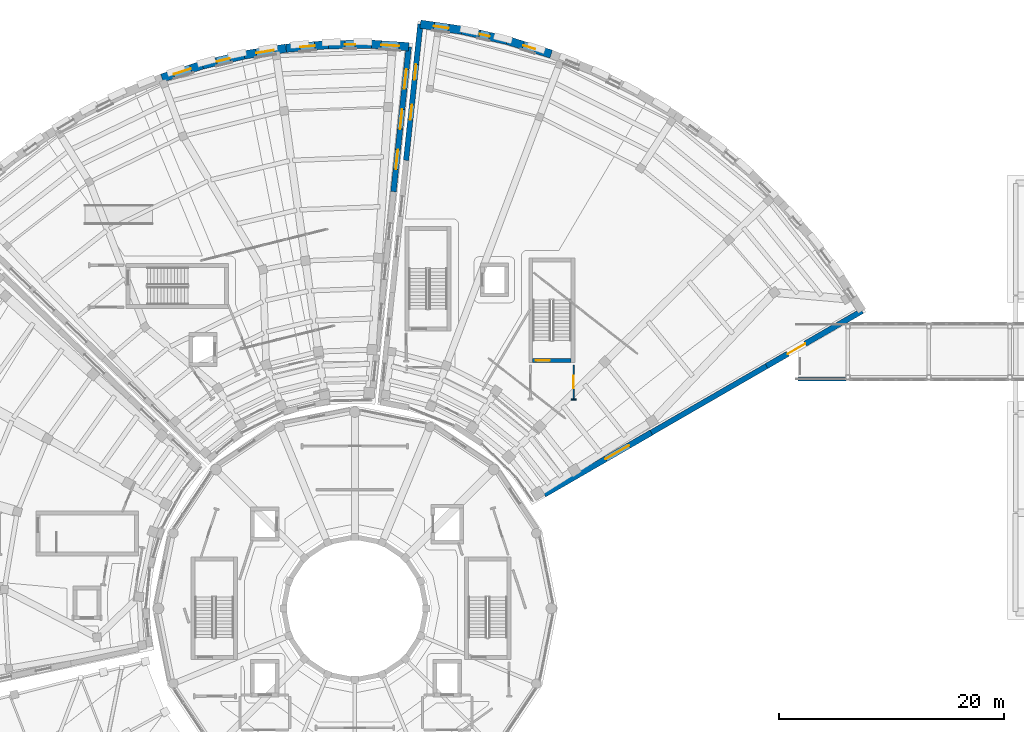
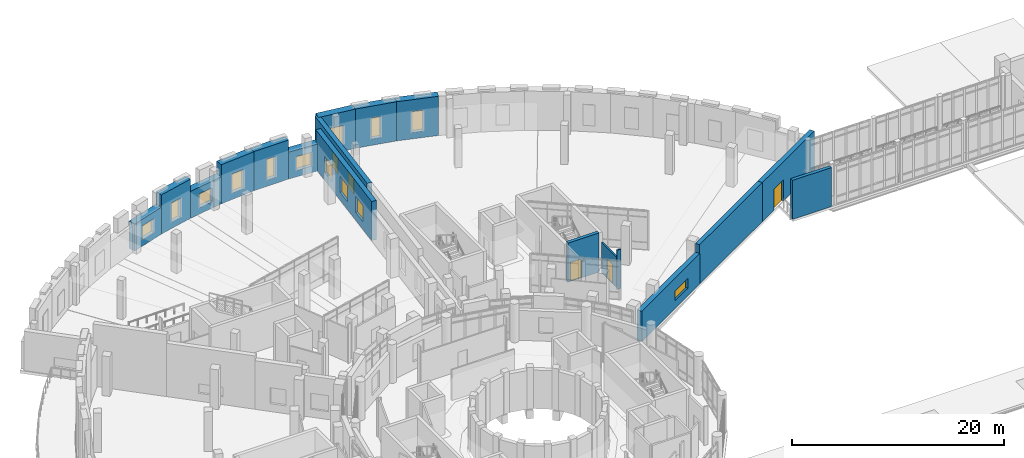
# One storey, part 57 of 75: 18 walls, 15 windows, 3 doors, 18 openings.
"""IFC4 building model written with IfcOpenShell, lengths in metres."""

from ifc_helpers import new_model, si_unit, direction, frame, frame_2d, origin, place, context, subcontext, project, spatial, rectangle, extrude, material, layer, layer_set, type_object, element, fill, save


model = new_model("IFC4")

# Units and contexts
model_context = context("Model", 3, precision=1e-05, world=origin(), true_north=direction((0.0, 1.0)))
body_context = subcontext(model_context, "Body", "Model", "MODEL_VIEW")
ifc_project = project(units=[si_unit("LENGTHUNIT", "METRE"), si_unit("AREAUNIT", "SQUARE_METRE"), si_unit("VOLUMEUNIT", "CUBIC_METRE"), si_unit("PLANEANGLEUNIT", "RADIAN"), si_unit("MASSUNIT", "GRAM", prefix="KILO")], contexts=[model_context])

# Site, building, storey
site_placement = place(None, origin())
site = spatial("IfcSite", under=ifc_project, at=site_placement, CompositionType="ELEMENT")
building_placement = place(site_placement, origin())
building = spatial("IfcBuilding", under=site, at=building_placement, Name="Soyqirgoq Riverine Aquarium", CompositionType="ELEMENT")
storey_placement = place(building_placement, frame((0.0, 0.0, 10.199951171875)))
storey = spatial("IfcBuildingStorey", under=building, at=storey_placement, Name="L03", CompositionType="ELEMENT", Elevation=10.199951171875)

# Wall
ifc_material_1 = material(Name="Insulated composite rainscreen panel", Category="steel")
ifc_layer_1 = layer(ifc_material_1, 0.360107421875)
ifc_layer_set_1 = layer_set([ifc_layer_1], Name="Insulated composite rainscreen panel")
wall_type_1 = type_object("IfcWallType", Name="BridgeSpandrelWall_360", PredefinedType="SOLIDWALL", material=ifc_layer_set_1)
wall_1_placement = place(storey_placement, frame((95.35009765625, 77.39990234375, 0.0), z_axis=(0.0, 0.0, 1.0), x_axis=(1.0, 0.0, 0.0)))
element("IfcWall", 1, at=wall_1_placement, inside=storey, type_object=wall_type_1, Name="BR-2 L03 Exterior Travertine Wall 0404", PredefinedType="SOLIDWALL", context=body_context, shape_type="SweptSolid", body=[
    extrude(rectangle(XDim=4.27001953125, YDim=0.360107421875, at=frame_2d((2.135009765625, 0.0))), origin(), (0.0, 0.0, 1.0), 4.5),
])

# Wall, opening, door
ifc_material_2 = material(Name="Concrete C40/50", Category="concrete")
ifc_layer_2 = layer(ifc_material_2, 0.35009765625)
ifc_layer_set_2 = layer_set([ifc_layer_2], Name="Concrete C40/50")
wall_type_2 = type_object("IfcWallType", Name="CoreShearWall_350_C40", PredefinedType="SHEAR", material=ifc_layer_set_2)
wall_2_placement = place(storey_placement, frame((71.800048828125, 79.02490234375, 0.0), z_axis=(0.0, 0.0, 1.0), x_axis=(1.0, 0.0, 0.0)))
wall_2 = element("IfcWall", 2, at=wall_2_placement, inside=storey, type_object=wall_type_2, Name="CORE-5B L03 Stair Core Shear Wall FRONT", PredefinedType="SHEAR", context=body_context, shape_type="SweptSolid", body=[
    extrude(rectangle(XDim=3.39990234375, YDim=0.35009765625, at=frame_2d((1.699951171875, 0.0))), origin(), (0.0, 0.0, 1.0), 4.52001953125),
])
opening_1_placement = place(wall_2_placement, frame((0.280029296875, 0.0, 0.0)))
opening_1 = element("IfcOpeningElement", 3, at=opening_1_placement, cuts=wall_2, Name="Opening FD-01", PredefinedType="OPENING", context=body_context, shape_type="SweptSolid", body=[
    extrude(rectangle(XDim=1.25, YDim=2.199951171875, at=frame_2d((0.625, 1.10009765625))), frame((0.0, 0.18505859375, 0.0), z_axis=(0.0, -1.0, 0.0), x_axis=(1.0, 0.0, 0.0)), (0.0, 0.0, 1.0), 0.3701171875),
])
ifc_material_3 = material(Name="Galvanised steel fire-resisting stair door", Category="steel")
door_type_1 = type_object("IfcDoorType", Name="StairFireDoor_1250x2200_EI90", OperationType="NOTDEFINED", PredefinedType="DOOR", material=ifc_material_3)
door_1_placement = place(opening_1_placement, origin())
door_1 = element("IfcDoor", 4, at=door_1_placement, inside=storey, type_object=door_type_1, Name="DR-ST-6-L03 ST-6 L03 Fire-Rated Stairwell Door", OperationType="SINGLE_SWING_RIGHT", OverallHeight=2.199951171875, OverallWidth=1.25, PredefinedType="DOOR", context=body_context, shape_type="SweptSolid", body=[
    extrude(rectangle(XDim=1.25, YDim=2.199951171875, at=frame_2d((0.625, 1.10009765625))), frame((0.0, 0.02490234375, 0.0), z_axis=(0.0, -1.0, 0.0), x_axis=(1.0, 0.0, 0.0)), (0.0, 0.0, 1.0), 0.050048828125),
])
fill(opening_1, door_1)

# Wall
ifc_material_4 = material(Name="Lightweight steel-stud gypsum partition", Category="steel")
ifc_layer_3 = layer(ifc_material_4, 0.1201171875)
ifc_layer_set_3 = layer_set([ifc_layer_3], Name="Lightweight steel-stud gypsum partition")
wall_type_3 = type_object("IfcWallType", Name="PartitionWall_120_Std", PredefinedType="PARTITIONING", material=ifc_layer_set_3)
wall_3_placement = place(storey_placement, frame((75.219970703125, 75.56005859375, 0.0), z_axis=(0.0, 0.0, 1.0), x_axis=(1.0, 0.0, 0.0)))
element("IfcWall", 5, at=wall_3_placement, inside=storey, type_object=wall_type_3, Name="V5 L03 Jamb Return Pier", PredefinedType="PARTITIONING", context=body_context, shape_type="SweptSolid", body=[
    extrude(rectangle(XDim=0.43994140625, YDim=0.1201171875, at=frame_2d((0.219970703125, 0.0))), origin(), (0.0, 0.0, 1.0), 4.52001953125),
])

# Wall, opening, door
ifc_material_5 = material(Name="Fire-rated acoustic gypsum stud partition", Category="gypsum")
ifc_layer_4 = layer(ifc_material_5, 0.159912109375)
ifc_layer_set_4 = layer_set([ifc_layer_4], Name="Fire-rated acoustic gypsum stud partition")
wall_type_4 = type_object("IfcWallType", Name="PartitionWall_160_EI60", PredefinedType="PARTITIONING", material=ifc_layer_set_4)
wall_4_placement = place(storey_placement, frame((75.43994140625, 78.64990234375, 0.0), z_axis=(0.0, 0.0, 1.0), x_axis=(0.0, -1.0, 0.0)))
wall_4 = element("IfcWall", 6, at=wall_4_placement, inside=storey, type_object=wall_type_4, Name="Water Quality Analytical Lab Partition Wall", PredefinedType="PARTITIONING", context=body_context, shape_type="SweptSolid", body=[
    extrude(rectangle(XDim=3.08984375, YDim=0.159912109375, at=frame_2d((1.544921875, 0.0))), origin(), (0.0, 0.0, 1.0), 3.510009765625),
])
opening_2_placement = place(wall_4_placement, frame((0.9951171875, 0.0, 0.0)))
opening_2 = element("IfcOpeningElement", 7, at=opening_2_placement, cuts=wall_4, Name="Opening ID-04", PredefinedType="OPENING", context=body_context, shape_type="SweptSolid", body=[
    extrude(rectangle(XDim=1.10009765625, YDim=2.199951171875, at=frame_2d((0.550048828125, 1.10009765625))), frame((0.0, 0.08984375, 0.0), z_axis=(0.0, -1.0, 0.0), x_axis=(1.0, 0.0, 0.0)), (0.0, 0.0, 1.0), 0.179931640625),
])
ifc_material_6 = material(Name="Chemical-resistant HPL fire-rated laboratory door", Category="wood")
door_type_2 = type_object("IfcDoorType", Name="LabDoor_1100x2200_EI60", OperationType="NOTDEFINED", PredefinedType="DOOR", material=ifc_material_6)
door_2_placement = place(opening_2_placement, origin())
door_2 = element("IfcDoor", 8, at=door_2_placement, inside=storey, type_object=door_type_2, Name="IDR-V5-L03-0154 Water Quality Analytical Lab Door", OperationType="SINGLE_SWING_RIGHT", OverallHeight=2.199951171875, OverallWidth=1.10009765625, PredefinedType="DOOR", context=body_context, shape_type="SweptSolid", body=[
    extrude(rectangle(XDim=1.10009765625, YDim=2.199951171875, at=frame_2d((0.550048828125, 1.10009765625))), frame((0.0, 0.02490234375, 0.0), z_axis=(0.0, -1.0, 0.0), x_axis=(1.0, 0.0, 0.0)), (0.0, 0.0, 1.0), 0.050048828125),
])
fill(opening_2, door_2)

# Wall, openings, windows
ifc_material_7 = material(Name="Honed travertine limestone cavity wall", Category="masonry")
ifc_layer_5 = layer(ifc_material_7, 0.47998046875)
ifc_layer_set_5 = layer_set([ifc_layer_5], Name="Honed travertine limestone cavity wall")
wall_type_5 = type_object("IfcWallType", Name="TravertineCavityWall_480", PredefinedType="SOLIDWALL", material=ifc_layer_set_5)
wall_5_placement = place(storey_placement, frame((60.547119140625, 96.81787109375, 0.0), z_axis=(0.0, 0.0, 1.0), x_axis=(0.104517571645, 0.994523040064, 0.0)))
wall_5 = element("IfcWall", 9, at=wall_5_placement, inside=storey, type_object=wall_type_5, Name="V5 L03 Exterior Travertine Wall 0285", PredefinedType="SOLIDWALL", context=body_context, shape_type="SweptSolid", body=[
    extrude(rectangle(XDim=12.16064453125, YDim=0.47998046875, at=frame_2d((6.080322265625, 0.0))), origin(), (0.0, 0.0, 1.0), 4.52001953125),
])
opening_3_placement = place(wall_5_placement, frame((3.60546875, 0.0, 0.89990234375)))
opening_3 = element("IfcOpeningElement", 10, at=opening_3_placement, cuts=wall_5, Name="Opening WN-08", PredefinedType="OPENING", context=body_context, shape_type="SweptSolid", body=[
    extrude(rectangle(XDim=1.35009765625, YDim=1.800048828125, at=frame_2d((0.675048828125, 0.89990234375))), frame((0.0, 0.25, 0.0), z_axis=(0.0, -1.0, 0.0), x_axis=(1.0, 0.0, 0.0)), (0.0, 0.0, 1.0), 0.5),
])
opening_4_placement = place(wall_5_placement, frame((7.205322265625, 0.0, 0.89990234375)))
opening_4 = element("IfcOpeningElement", 11, at=opening_4_placement, cuts=wall_5, Name="Opening WN-08", PredefinedType="OPENING", context=body_context, shape_type="SweptSolid", body=[
    extrude(rectangle(XDim=1.35009765625, YDim=1.800048828125, at=frame_2d((0.675048828125, 0.89990234375))), frame((0.0, 0.25, 0.0), z_axis=(0.0, -1.0, 0.0), x_axis=(1.0, 0.0, 0.0)), (0.0, 0.0, 1.0), 0.5),
])
ifc_material_8 = material(Name="Thermally broken aluminium triple low-E window", Category="aluminium")
window_type_1 = type_object("IfcWindowType", Name="Win_Office_1350x1800", PartitioningType="DOUBLE_PANEL_VERTICAL", PredefinedType="WINDOW", material=ifc_material_8)
window_1_placement = place(opening_3_placement, origin())
window_1 = element("IfcWindow", 12, at=window_1_placement, inside=storey, type_object=window_type_1, Name="V5 L03 Facade Window 0229", OverallHeight=1.800048828125, OverallWidth=1.35009765625, PartitioningType="DOUBLE_PANEL_VERTICAL", PredefinedType="WINDOW", context=body_context, shape_type="SweptSolid", body=[
    extrude(rectangle(XDim=1.35009765625, YDim=1.800048828125, at=frame_2d((0.675048828125, 0.89990234375))), frame((0.0, 0.030029296875, 0.0), z_axis=(0.0, -1.0, 0.0), x_axis=(1.0, 0.0, 0.0)), (0.0, 0.0, 1.0), 0.06005859375),
])
fill(opening_3, window_1)
window_2_placement = place(opening_4_placement, origin())
window_2 = element("IfcWindow", 13, at=window_2_placement, inside=storey, type_object=window_type_1, Name="V5 L03 Facade Window 0230", OverallHeight=1.800048828125, OverallWidth=1.35009765625, PartitioningType="DOUBLE_PANEL_VERTICAL", PredefinedType="WINDOW", context=body_context, shape_type="SweptSolid", body=[
    extrude(rectangle(XDim=1.35009765625, YDim=1.800048828125, at=frame_2d((0.675048828125, 0.89990234375))), frame((0.0, 0.030029296875, 0.0), z_axis=(0.0, -1.0, 0.0), x_axis=(1.0, 0.0, 0.0)), (0.0, 0.0, 1.0), 0.06005859375),
])
fill(opening_4, window_2)

# Wall
wall_6_placement = place(storey_placement, frame((92.57373046875, 78.531494140625, 0.0), z_axis=(0.0, 0.0, 1.0), x_axis=(-0.866024649003, -0.500001307318, 0.0)))
element("IfcWall", 14, at=wall_6_placement, inside=storey, type_object=wall_type_5, Name="V5 L03 Exterior Travertine Wall 0299", PredefinedType="SOLIDWALL", context=body_context, shape_type="SweptSolid", body=[
    extrude(rectangle(XDim=11.82275390625, YDim=0.47998046875, at=frame_2d((5.911376953125, 0.0))), origin(), (0.0, 0.0, 1.0), 4.52001953125),
])

# Wall, openings, windows
ifc_material_9 = material(Name="Honed travertine limestone cavity wall", Category="masonry")
ifc_layer_6 = layer(ifc_material_9, 0.5)
ifc_layer_set_6 = layer_set([ifc_layer_6], Name="Honed travertine limestone cavity wall")
wall_type_6 = type_object("IfcWallType", Name="TravertineCavityWall_500", PredefinedType="SOLIDWALL", material=ifc_layer_set_6)
wall_7_placement = place(storey_placement, frame((60.78271484375, 106.906005859375, 0.0), z_axis=(0.0, 0.0, 1.0), x_axis=(-0.104518901773, -0.994522900275, 0.0)))
wall_7 = element("IfcWall", 15, at=wall_7_placement, inside=storey, type_object=wall_type_6, Name="V4 L03 Exterior Travertine Wall 0214", PredefinedType="SOLIDWALL", context=body_context, shape_type="SweptSolid", body=[
    extrude(rectangle(XDim=12.947509765625, YDim=0.5, at=frame_2d((6.4736328125, 0.0))), origin(), (0.0, 0.0, 1.0), 4.52001953125),
])
opening_5_placement = place(wall_7_placement, frame((1.998779296875, 0.0, 0.89990234375)))
opening_5 = element("IfcOpeningElement", 16, at=opening_5_placement, cuts=wall_7, Name="Opening WN-19", PredefinedType="OPENING", context=body_context, shape_type="SweptSolid", body=[
    extrude(rectangle(XDim=1.75, YDim=1.85009765625, at=frame_2d((0.875, 0.925048828125))), frame((0.0, 0.260009765625, 0.0), z_axis=(0.0, -1.0, 0.0), x_axis=(1.0, 0.0, 0.0)), (0.0, 0.0, 1.0), 0.52001953125),
])
opening_6_placement = place(wall_7_placement, frame((5.598876953125, 0.0, 0.89990234375)))
opening_6 = element("IfcOpeningElement", 17, at=opening_6_placement, cuts=wall_7, Name="Opening WN-19", PredefinedType="OPENING", context=body_context, shape_type="SweptSolid", body=[
    extrude(rectangle(XDim=1.75, YDim=1.85009765625, at=frame_2d((0.875, 0.925048828125))), frame((0.0, 0.260009765625, 0.0), z_axis=(0.0, -1.0, 0.0), x_axis=(1.0, 0.0, 0.0)), (0.0, 0.0, 1.0), 0.52001953125),
])
opening_7_placement = place(wall_7_placement, frame((9.19873046875, 0.0, 0.89990234375)))
opening_7 = element("IfcOpeningElement", 18, at=opening_7_placement, cuts=wall_7, Name="Opening WN-19", PredefinedType="OPENING", context=body_context, shape_type="SweptSolid", body=[
    extrude(rectangle(XDim=1.75, YDim=1.85009765625, at=frame_2d((0.875, 0.925048828125))), frame((0.0, 0.260009765625, 0.0), z_axis=(0.0, -1.0, 0.0), x_axis=(1.0, 0.0, 0.0)), (0.0, 0.0, 1.0), 0.52001953125),
])
ifc_material_10 = material(Name="Thermally broken aluminium triple low-E window", Category="aluminium")
window_type_2 = type_object("IfcWindowType", Name="Win_Office_1750x1850", PartitioningType="DOUBLE_PANEL_VERTICAL", PredefinedType="WINDOW", material=ifc_material_10)
window_3_placement = place(opening_5_placement, origin())
window_3 = element("IfcWindow", 19, at=window_3_placement, inside=storey, type_object=window_type_2, Name="V4 L03 Facade Window 0164", OverallHeight=1.85009765625, OverallWidth=1.75, PartitioningType="DOUBLE_PANEL_VERTICAL", PredefinedType="WINDOW", context=body_context, shape_type="SweptSolid", body=[
    extrude(rectangle(XDim=1.75, YDim=1.85009765625, at=frame_2d((0.875, 0.925048828125))), frame((0.0, 0.030029296875, 0.0), z_axis=(0.0, -1.0, 0.0), x_axis=(1.0, 0.0, 0.0)), (0.0, 0.0, 1.0), 0.06005859375),
])
fill(opening_5, window_3)
window_4_placement = place(opening_6_placement, origin())
window_4 = element("IfcWindow", 20, at=window_4_placement, inside=storey, type_object=window_type_2, Name="V4 L03 Facade Window 0165", OverallHeight=1.85009765625, OverallWidth=1.75, PartitioningType="DOUBLE_PANEL_VERTICAL", PredefinedType="WINDOW", context=body_context, shape_type="SweptSolid", body=[
    extrude(rectangle(XDim=1.75, YDim=1.85009765625, at=frame_2d((0.875, 0.925048828125))), frame((0.0, 0.030029296875, 0.0), z_axis=(0.0, -1.0, 0.0), x_axis=(1.0, 0.0, 0.0)), (0.0, 0.0, 1.0), 0.06005859375),
])
fill(opening_6, window_4)
window_5_placement = place(opening_7_placement, origin())
window_5 = element("IfcWindow", 21, at=window_5_placement, inside=storey, type_object=window_type_2, Name="V4 L03 Facade Window 0166", OverallHeight=1.85009765625, OverallWidth=1.75, PartitioningType="DOUBLE_PANEL_VERTICAL", PredefinedType="WINDOW", context=body_context, shape_type="SweptSolid", body=[
    extrude(rectangle(XDim=1.75, YDim=1.85009765625, at=frame_2d((0.875, 0.925048828125))), frame((0.0, 0.030029296875, 0.0), z_axis=(0.0, -1.0, 0.0), x_axis=(1.0, 0.0, 0.0)), (0.0, 0.0, 1.0), 0.06005859375),
])
fill(opening_7, window_5)

# Wall, opening, door
wall_8_placement = place(storey_placement, frame((101.057373046875, 83.4296875, 0.0), z_axis=(0.0, 0.0, 1.0), x_axis=(-0.866018329855, -0.500012252205, 0.0)))
wall_8 = element("IfcWall", 22, at=wall_8_placement, inside=storey, type_object=wall_type_6, Name="V5 L03 Exterior Travertine Wall 0298", PredefinedType="SOLIDWALL", context=body_context, shape_type="SweptSolid", body=[
    extrude(rectangle(XDim=9.796142578125, YDim=0.5, at=frame_2d((4.89794921875, 0.0))), origin(), (0.0, 0.0, 1.0), 4.52001953125),
])
opening_8_placement = place(wall_8_placement, frame((5.814208984375, 0.0, 0.0)))
opening_8 = element("IfcOpeningElement", 23, at=opening_8_placement, cuts=wall_8, Name="Opening BD-01", PredefinedType="OPENING", context=body_context, shape_type="SweptSolid", body=[
    extrude(rectangle(XDim=1.800048828125, YDim=2.39990234375, at=frame_2d((0.89990234375, 1.199951171875))), frame((0.0, 0.260009765625, 0.0), z_axis=(0.0, -1.0, 0.0), x_axis=(1.0, 0.0, 0.0)), (0.0, 0.0, 1.0), 0.52001953125),
])
ifc_material_11 = material(Name="Thermally broken aluminium fire-rated portal door", Category="aluminium")
door_type_3 = type_object("IfcDoorType", Name="BridgePortalDoor_1800x2400", OperationType="DOUBLE_DOOR_SINGLE_SWING", PredefinedType="DOOR", material=ifc_material_11)
door_3_placement = place(opening_8_placement, origin())
door_3 = element("IfcDoor", 24, at=door_3_placement, inside=storey, type_object=door_type_3, Name="EDR-BR-2-W-037 BR-2-W Glazed Bridge Portal Fire Door", OperationType="DOUBLE_DOOR_SINGLE_SWING", OverallHeight=2.39990234375, OverallWidth=1.800048828125, PredefinedType="DOOR", context=body_context, shape_type="SweptSolid", body=[
    extrude(rectangle(XDim=1.800048828125, YDim=2.39990234375, at=frame_2d((0.89990234375, 1.199951171875))), frame((0.0, 0.02490234375, 0.0), z_axis=(0.0, -1.0, 0.0), x_axis=(1.0, 0.0, 0.0)), (0.0, 0.0, 1.0), 0.050048828125),
])
fill(opening_8, door_3)

# Wall, opening, window
ifc_material_12 = material(Name="Honed travertine limestone cavity wall", Category="masonry")
ifc_layer_7 = layer(ifc_material_12, 0.52001953125)
ifc_layer_set_7 = layer_set([ifc_layer_7], Name="Honed travertine limestone cavity wall")
wall_type_7 = type_object("IfcWallType", Name="TravertineCavityWall_520", PredefinedType="SOLIDWALL", material=ifc_layer_set_7)
wall_9_placement = place(storey_placement, frame((82.3349609375, 72.6201171875, 0.0), z_axis=(0.0, 0.0, 1.0), x_axis=(-0.866028465759, -0.499994696468, 0.0)))
wall_9 = element("IfcWall", 25, at=wall_9_placement, inside=storey, type_object=wall_type_7, Name="V5 L03 Exterior Travertine Wall 0300", PredefinedType="SOLIDWALL", context=body_context, shape_type="SweptSolid", body=[
    extrude(rectangle(XDim=10.97119140625, YDim=0.52001953125, at=frame_2d((5.485595703125, 0.0))), origin(), (0.0, 0.0, 1.0), 3.510009765625),
])
opening_9_placement = place(wall_9_placement, frame((2.28564453125, 0.0, 0.89990234375)))
opening_9 = element("IfcOpeningElement", 26, at=opening_9_placement, cuts=wall_9, Name="Opening WN-10", PredefinedType="OPENING", context=body_context, shape_type="SweptSolid", body=[
    extrude(rectangle(XDim=2.39990234375, YDim=1.10009765625, at=frame_2d((1.199951171875, 0.550048828125))), frame((0.0, 0.27001953125, 0.0), z_axis=(0.0, -1.0, 0.0), x_axis=(1.0, 0.0, 0.0)), (0.0, 0.0, 1.0), 0.5400390625),
])
ifc_material_13 = material(Name="Thermally broken aluminium triple low-E window", Category="aluminium")
window_type_3 = type_object("IfcWindowType", Name="Win_Clerestory_2400x1100", PartitioningType="DOUBLE_PANEL_HORIZONTAL", PredefinedType="LIGHTDOME", material=ifc_material_13)
window_6_placement = place(opening_9_placement, origin())
window_6 = element("IfcWindow", 27, at=window_6_placement, inside=storey, type_object=window_type_3, Name="V5 L03 Facade Window 0242", OverallHeight=1.10009765625, OverallWidth=2.39990234375, PartitioningType="DOUBLE_PANEL_HORIZONTAL", PredefinedType="LIGHTDOME", context=body_context, shape_type="SweptSolid", body=[
    extrude(rectangle(XDim=2.39990234375, YDim=1.10009765625, at=frame_2d((1.199951171875, 0.550048828125))), frame((0.0, 0.030029296875, 0.0), z_axis=(0.0, -1.0, 0.0), x_axis=(1.0, 0.0, 0.0)), (0.0, 0.0, 1.0), 0.06005859375),
])
fill(opening_9, window_6)

ifc_material_14 = material(Name="Honed travertine limestone cavity wall", Category="masonry")
ifc_layer_8 = layer(ifc_material_14, 0.75)
ifc_layer_set_8 = layer_set([ifc_layer_8], Name="Honed travertine limestone cavity wall")
wall_type_8 = type_object("IfcWallType", Name="TravertineNicheWall_750", PredefinedType="SOLIDWALL", material=ifc_layer_set_8)
wall_10_placement = place(storey_placement, frame((38.847900390625, 104.12548828125, 0.0), z_axis=(0.0, 0.0, 1.0), x_axis=(0.951959535224, 0.306223845081, 0.0)))
wall_10 = element("IfcWall", 28, at=wall_10_placement, inside=storey, type_object=wall_type_8, Name="V4 L03 Exterior Travertine Wall 0208", PredefinedType="SOLIDWALL", context=body_context, shape_type="SweptSolid", body=[
    extrude(rectangle(XDim=3.791748046875, YDim=0.75, at=frame_2d((1.89599609375, 0.0))), origin(), (0.0, 0.0, 1.0), 3.110107421875),
])
opening_10_placement = place(wall_10_placement, frame((1.095947265625, 0.0, 0.75)))
opening_10 = element("IfcOpeningElement", 29, at=opening_10_placement, cuts=wall_10, Name="Opening WN-06", PredefinedType="OPENING", context=body_context, shape_type="SweptSolid", body=[
    extrude(rectangle(XDim=1.60009765625, YDim=1.60009765625, at=frame_2d((0.800048828125, 0.800048828125))), frame((0.0, 0.385009765625, 0.0), z_axis=(0.0, -1.0, 0.0), x_axis=(1.0, 0.0, 0.0)), (0.0, 0.0, 1.0), 0.77001953125),
])
ifc_material_15 = material(Name="Thermally broken aluminium triple low-E window", Category="aluminium")
window_type_4 = type_object("IfcWindowType", Name="Win_Lab_1600x1600", PartitioningType="DOUBLE_PANEL_VERTICAL", PredefinedType="WINDOW", material=ifc_material_15)
window_7_placement = place(opening_10_placement, origin())
window_7 = element("IfcWindow", 30, at=window_7_placement, inside=storey, type_object=window_type_4, Name="V4 L03 Facade Window 0158", OverallHeight=1.60009765625, OverallWidth=1.60009765625, PartitioningType="DOUBLE_PANEL_VERTICAL", PredefinedType="WINDOW", context=body_context, shape_type="SweptSolid", body=[
    extrude(rectangle(XDim=1.60009765625, YDim=1.60009765625, at=frame_2d((0.800048828125, 0.800048828125))), frame((0.0, 0.030029296875, 0.0), z_axis=(0.0, -1.0, 0.0), x_axis=(1.0, 0.0, 0.0)), (0.0, 0.0, 1.0), 0.06005859375),
])
fill(opening_10, window_7)

wall_11_placement = place(storey_placement, frame((42.45751953125, 105.28662109375, 0.0), z_axis=(0.0, 0.0, 1.0), x_axis=(0.972368597745, 0.233450873033, 0.0)))
wall_11 = element("IfcWall", 31, at=wall_11_placement, inside=storey, type_object=wall_type_8, Name="V4 L03 Exterior Travertine Wall 0209", PredefinedType="SOLIDWALL", context=body_context, shape_type="SweptSolid", body=[
    extrude(rectangle(XDim=3.7919921875, YDim=0.75, at=frame_2d((1.89599609375, 0.0))), origin(), (0.0, 0.0, 1.0), 4.52001953125),
])
opening_11_placement = place(wall_11_placement, frame((1.2958984375, 0.0, 0.75)))
opening_11 = element("IfcOpeningElement", 32, at=opening_11_placement, cuts=wall_11, Name="Opening WN-03", PredefinedType="OPENING", context=body_context, shape_type="SweptSolid", body=[
    extrude(rectangle(XDim=1.199951171875, YDim=2.199951171875, at=frame_2d((0.60009765625, 1.10009765625))), frame((0.0, 0.385009765625, 0.0), z_axis=(0.0, -1.0, 0.0), x_axis=(1.0, 0.0, 0.0)), (0.0, 0.0, 1.0), 0.77001953125),
])
ifc_material_16 = material(Name="Thermally broken aluminium triple low-E window", Category="aluminium")
window_type_5 = type_object("IfcWindowType", Name="Win_Niche_1200x2200", PartitioningType="DOUBLE_PANEL_VERTICAL", PredefinedType="WINDOW", material=ifc_material_16)
window_8_placement = place(opening_11_placement, origin())
window_8 = element("IfcWindow", 33, at=window_8_placement, inside=storey, type_object=window_type_5, Name="V4 L03 Facade Window 0159", OverallHeight=2.199951171875, OverallWidth=1.199951171875, PartitioningType="DOUBLE_PANEL_VERTICAL", PredefinedType="WINDOW", context=body_context, shape_type="SweptSolid", body=[
    extrude(rectangle(XDim=1.199951171875, YDim=2.199951171875, at=frame_2d((0.60009765625, 1.10009765625))), frame((0.0, 0.030029296875, 0.0), z_axis=(0.0, -1.0, 0.0), x_axis=(1.0, 0.0, 0.0)), (0.0, 0.0, 1.0), 0.06005859375),
])
fill(opening_11, window_8)

wall_12_placement = place(storey_placement, frame((46.144775390625, 106.171875, 0.0), z_axis=(0.0, 0.0, 1.0), x_axis=(0.987231650427, 0.159291143492, 0.0)))
wall_12 = element("IfcWall", 34, at=wall_12_placement, inside=storey, type_object=wall_type_8, Name="V4 L03 Exterior Travertine Wall 0210", PredefinedType="SOLIDWALL", context=body_context, shape_type="SweptSolid", body=[
    extrude(rectangle(XDim=3.791748046875, YDim=0.75, at=frame_2d((1.89599609375, 0.0))), origin(), (0.0, 0.0, 1.0), 3.110107421875),
])
opening_12_placement = place(wall_12_placement, frame((1.095947265625, 0.0, 0.75)))
opening_12 = element("IfcOpeningElement", 35, at=opening_12_placement, cuts=wall_12, Name="Opening WN-06", PredefinedType="OPENING", context=body_context, shape_type="SweptSolid", body=[
    extrude(rectangle(XDim=1.60009765625, YDim=1.60009765625, at=frame_2d((0.800048828125, 0.800048828125))), frame((0.0, 0.385009765625, 0.0), z_axis=(0.0, -1.0, 0.0), x_axis=(1.0, 0.0, 0.0)), (0.0, 0.0, 1.0), 0.77001953125),
])
window_9_placement = place(opening_12_placement, origin())
window_9 = element("IfcWindow", 36, at=window_9_placement, inside=storey, type_object=window_type_4, Name="V4 L03 Facade Window 0160", OverallHeight=1.60009765625, OverallWidth=1.60009765625, PartitioningType="DOUBLE_PANEL_VERTICAL", PredefinedType="WINDOW", context=body_context, shape_type="SweptSolid", body=[
    extrude(rectangle(XDim=1.60009765625, YDim=1.60009765625, at=frame_2d((0.800048828125, 0.800048828125))), frame((0.0, 0.030029296875, 0.0), z_axis=(0.0, -1.0, 0.0), x_axis=(1.0, 0.0, 0.0)), (0.0, 0.0, 1.0), 0.06005859375),
])
fill(opening_12, window_9)

wall_13_placement = place(storey_placement, frame((49.88818359375, 106.77587890625, 0.0), z_axis=(0.0, 0.0, 1.0), x_axis=(0.996442430759, 0.084276225487, 0.0)))
wall_13 = element("IfcWall", 37, at=wall_13_placement, inside=storey, type_object=wall_type_8, Name="V4 L03 Exterior Travertine Wall 0211", PredefinedType="SOLIDWALL", context=body_context, shape_type="SweptSolid", body=[
    extrude(rectangle(XDim=3.7919921875, YDim=0.75, at=frame_2d((1.89599609375, 0.0))), origin(), (0.0, 0.0, 1.0), 4.52001953125),
])
opening_13_placement = place(wall_13_placement, frame((1.24609375, 0.0, 0.75)))
opening_13 = element("IfcOpeningElement", 38, at=opening_13_placement, cuts=wall_13, Name="Opening WN-12", PredefinedType="OPENING", context=body_context, shape_type="SweptSolid", body=[
    extrude(rectangle(XDim=1.300048828125, YDim=2.199951171875, at=frame_2d((0.64990234375, 1.10009765625))), frame((0.0, 0.385009765625, 0.0), z_axis=(0.0, -1.0, 0.0), x_axis=(1.0, 0.0, 0.0)), (0.0, 0.0, 1.0), 0.77001953125),
])
ifc_material_17 = material(Name="Thermally broken aluminium triple low-E window", Category="aluminium")
window_type_6 = type_object("IfcWindowType", Name="Win_Niche_1300x2200", PartitioningType="DOUBLE_PANEL_VERTICAL", PredefinedType="WINDOW", material=ifc_material_17)
window_10_placement = place(opening_13_placement, origin())
window_10 = element("IfcWindow", 39, at=window_10_placement, inside=storey, type_object=window_type_6, Name="V4 L03 Facade Window 0161", OverallHeight=2.199951171875, OverallWidth=1.300048828125, PartitioningType="DOUBLE_PANEL_VERTICAL", PredefinedType="WINDOW", context=body_context, shape_type="SweptSolid", body=[
    extrude(rectangle(XDim=1.300048828125, YDim=2.199951171875, at=frame_2d((0.64990234375, 1.10009765625))), frame((0.0, 0.030029296875, 0.0), z_axis=(0.0, -1.0, 0.0), x_axis=(1.0, 0.0, 0.0)), (0.0, 0.0, 1.0), 0.06005859375),
])
fill(opening_13, window_10)

wall_14_placement = place(storey_placement, frame((53.666748046875, 107.095458984375, 0.0), z_axis=(0.0, 0.0, 1.0), x_axis=(0.999962224163, 0.008691964475, 0.0)))
wall_14 = element("IfcWall", 40, at=wall_14_placement, inside=storey, type_object=wall_type_8, Name="V4 L03 Exterior Travertine Wall 0212", PredefinedType="SOLIDWALL", context=body_context, shape_type="SweptSolid", body=[
    extrude(rectangle(XDim=3.7919921875, YDim=0.75, at=frame_2d((1.89599609375, 0.0))), origin(), (0.0, 0.0, 1.0), 4.52001953125),
])
opening_14_placement = place(wall_14_placement, frame((1.446044921875, 0.0, 0.75)))
opening_14 = element("IfcOpeningElement", 41, at=opening_14_placement, cuts=wall_14, Name="Opening WN-01", PredefinedType="OPENING", context=body_context, shape_type="SweptSolid", body=[
    extrude(rectangle(XDim=0.89990234375, YDim=2.39990234375, at=frame_2d((0.449951171875, 1.199951171875))), frame((0.0, 0.385009765625, 0.0), z_axis=(0.0, -1.0, 0.0), x_axis=(1.0, 0.0, 0.0)), (0.0, 0.0, 1.0), 0.77001953125),
])
ifc_material_18 = material(Name="Thermally broken aluminium triple low-E window", Category="aluminium")
window_type_7 = type_object("IfcWindowType", Name="Win_Niche_900x2400", PartitioningType="SINGLE_PANEL", PredefinedType="WINDOW", material=ifc_material_18)
window_11_placement = place(opening_14_placement, origin())
window_11 = element("IfcWindow", 42, at=window_11_placement, inside=storey, type_object=window_type_7, Name="V4 L03 Facade Window 0162", OverallHeight=2.39990234375, OverallWidth=0.89990234375, PartitioningType="SINGLE_PANEL", PredefinedType="WINDOW", context=body_context, shape_type="SweptSolid", body=[
    extrude(rectangle(XDim=0.89990234375, YDim=2.39990234375, at=frame_2d((0.449951171875, 1.199951171875))), frame((0.0, 0.030029296875, 0.0), z_axis=(0.0, -1.0, 0.0), x_axis=(1.0, 0.0, 0.0)), (0.0, 0.0, 1.0), 0.06005859375),
])
fill(opening_14, window_11)

wall_15_placement = place(storey_placement, frame((57.45849609375, 107.12841796875, 0.0), z_axis=(0.0, 0.0, 1.0), x_axis=(0.997769241433, -0.066757328066, 0.0)))
wall_15 = element("IfcWall", 43, at=wall_15_placement, inside=storey, type_object=wall_type_8, Name="V4 L03 Exterior Travertine Wall 0213", PredefinedType="SOLIDWALL", context=body_context, shape_type="SweptSolid", body=[
    extrude(rectangle(XDim=3.33154296875, YDim=0.75, at=frame_2d((1.665771484375, 0.0))), origin(), (0.0, 0.0, 1.0), 3.110107421875),
])
opening_15_placement = place(wall_15_placement, frame((0.86572265625, 0.0, 0.75)))
opening_15 = element("IfcOpeningElement", 44, at=opening_15_placement, cuts=wall_15, Name="Opening WN-06", PredefinedType="OPENING", context=body_context, shape_type="SweptSolid", body=[
    extrude(rectangle(XDim=1.60009765625, YDim=1.60009765625, at=frame_2d((0.800048828125, 0.800048828125))), frame((0.0, 0.385009765625, 0.0), z_axis=(0.0, -1.0, 0.0), x_axis=(1.0, 0.0, 0.0)), (0.0, 0.0, 1.0), 0.77001953125),
])
window_12_placement = place(opening_15_placement, origin())
window_12 = element("IfcWindow", 45, at=window_12_placement, inside=storey, type_object=window_type_4, Name="V4 L03 Facade Window 0163", OverallHeight=1.60009765625, OverallWidth=1.60009765625, PartitioningType="DOUBLE_PANEL_VERTICAL", PredefinedType="WINDOW", context=body_context, shape_type="SweptSolid", body=[
    extrude(rectangle(XDim=1.60009765625, YDim=1.60009765625, at=frame_2d((0.800048828125, 0.800048828125))), frame((0.0, 0.030029296875, 0.0), z_axis=(0.0, -1.0, 0.0), x_axis=(1.0, 0.0, 0.0)), (0.0, 0.0, 1.0), 0.06005859375),
])
fill(opening_15, window_12)

wall_16_placement = place(storey_placement, frame((61.818115234375, 108.911865234375, 0.0), z_axis=(0.0, 0.0, 1.0), x_axis=(0.989656438185, -0.143457779009, 0.0)))
wall_16 = element("IfcWall", 46, at=wall_16_placement, inside=storey, type_object=wall_type_8, Name="V5 L03 Exterior Travertine Wall 0286", PredefinedType="SOLIDWALL", context=body_context, shape_type="SweptSolid", body=[
    extrude(rectangle(XDim=3.742431640625, YDim=0.75, at=frame_2d((1.87109375, 0.0))), origin(), (0.0, 0.0, 1.0), 4.52001953125),
])
opening_16_placement = place(wall_16_placement, frame((1.22119140625, 0.0, 0.75)))
opening_16 = element("IfcOpeningElement", 47, at=opening_16_placement, cuts=wall_16, Name="Opening WN-12", PredefinedType="OPENING", context=body_context, shape_type="SweptSolid", body=[
    extrude(rectangle(XDim=1.300048828125, YDim=2.199951171875, at=frame_2d((0.64990234375, 1.10009765625))), frame((0.0, 0.385009765625, 0.0), z_axis=(0.0, -1.0, 0.0), x_axis=(1.0, 0.0, 0.0)), (0.0, 0.0, 1.0), 0.77001953125),
])
window_13_placement = place(opening_16_placement, origin())
window_13 = element("IfcWindow", 48, at=window_13_placement, inside=storey, type_object=window_type_6, Name="V5 L03 Facade Window 0231", OverallHeight=2.199951171875, OverallWidth=1.300048828125, PartitioningType="DOUBLE_PANEL_VERTICAL", PredefinedType="WINDOW", context=body_context, shape_type="SweptSolid", body=[
    extrude(rectangle(XDim=1.300048828125, YDim=2.199951171875, at=frame_2d((0.64990234375, 1.10009765625))), frame((0.0, 0.030029296875, 0.0), z_axis=(0.0, -1.0, 0.0), x_axis=(1.0, 0.0, 0.0)), (0.0, 0.0, 1.0), 0.06005859375),
])
fill(opening_16, window_13)

wall_17_placement = place(storey_placement, frame((65.521728515625, 108.375, 0.0), z_axis=(0.0, 0.0, 1.0), x_axis=(0.975338200336, -0.220715642773, 0.0)))
wall_17 = element("IfcWall", 49, at=wall_17_placement, inside=storey, type_object=wall_type_8, Name="V5 L03 Exterior Travertine Wall 0287", PredefinedType="SOLIDWALL", context=body_context, shape_type="SweptSolid", body=[
    extrude(rectangle(XDim=4.1025390625, YDim=0.75, at=frame_2d((2.05126953125, 0.0))), origin(), (0.0, 0.0, 1.0), 4.52001953125),
])
opening_17_placement = place(wall_17_placement, frame((1.601318359375, 0.0, 0.75)))
opening_17 = element("IfcOpeningElement", 50, at=opening_17_placement, cuts=wall_17, Name="Opening WN-01", PredefinedType="OPENING", context=body_context, shape_type="SweptSolid", body=[
    extrude(rectangle(XDim=0.89990234375, YDim=2.39990234375, at=frame_2d((0.449951171875, 1.199951171875))), frame((0.0, 0.385009765625, 0.0), z_axis=(0.0, -1.0, 0.0), x_axis=(1.0, 0.0, 0.0)), (0.0, 0.0, 1.0), 0.77001953125),
])
window_14_placement = place(opening_17_placement, origin())
window_14 = element("IfcWindow", 51, at=window_14_placement, inside=storey, type_object=window_type_7, Name="V5 L03 Facade Window 0232", OverallHeight=2.39990234375, OverallWidth=0.89990234375, PartitioningType="SINGLE_PANEL", PredefinedType="WINDOW", context=body_context, shape_type="SweptSolid", body=[
    extrude(rectangle(XDim=0.89990234375, YDim=2.39990234375, at=frame_2d((0.449951171875, 1.199951171875))), frame((0.0, 0.030029296875, 0.0), z_axis=(0.0, -1.0, 0.0), x_axis=(1.0, 0.0, 0.0)), (0.0, 0.0, 1.0), 0.06005859375),
])
fill(opening_17, window_14)

wall_18_placement = place(storey_placement, frame((69.523193359375, 107.469482421875, 0.0), z_axis=(0.0, 0.0, 1.0), x_axis=(0.955025791423, -0.296522744013, 0.0)))
wall_18 = element("IfcWall", 52, at=wall_18_placement, inside=storey, type_object=wall_type_8, Name="V5 L03 Exterior Travertine Wall 0288", PredefinedType="SOLIDWALL", context=body_context, shape_type="SweptSolid", body=[
    extrude(rectangle(XDim=4.102783203125, YDim=0.75, at=frame_2d((2.05126953125, 0.0))), origin(), (0.0, 0.0, 1.0), 4.52001953125),
])
opening_18_placement = place(wall_18_placement, frame((1.50146484375, 0.0, 0.75)))
opening_18 = element("IfcOpeningElement", 53, at=opening_18_placement, cuts=wall_18, Name="Opening WN-02", PredefinedType="OPENING", context=body_context, shape_type="SweptSolid", body=[
    extrude(rectangle(XDim=1.10009765625, YDim=2.39990234375, at=frame_2d((0.550048828125, 1.199951171875))), frame((0.0, 0.385009765625, 0.0), z_axis=(0.0, -1.0, 0.0), x_axis=(1.0, 0.0, 0.0)), (0.0, 0.0, 1.0), 0.77001953125),
])
ifc_material_19 = material(Name="Thermally broken aluminium triple low-E window", Category="aluminium")
window_type_8 = type_object("IfcWindowType", Name="Win_Niche_1100x2400", PartitioningType="SINGLE_PANEL", PredefinedType="WINDOW", material=ifc_material_19)
window_15_placement = place(opening_18_placement, origin())
window_15 = element("IfcWindow", 54, at=window_15_placement, inside=storey, type_object=window_type_8, Name="V5 L03 Facade Window 0233", OverallHeight=2.39990234375, OverallWidth=1.10009765625, PartitioningType="SINGLE_PANEL", PredefinedType="WINDOW", context=body_context, shape_type="SweptSolid", body=[
    extrude(rectangle(XDim=1.10009765625, YDim=2.39990234375, at=frame_2d((0.550048828125, 1.199951171875))), frame((0.0, 0.030029296875, 0.0), z_axis=(0.0, -1.0, 0.0), x_axis=(1.0, 0.0, 0.0)), (0.0, 0.0, 1.0), 0.06005859375),
])
fill(opening_18, window_15)

save(model, "model.ifc")
